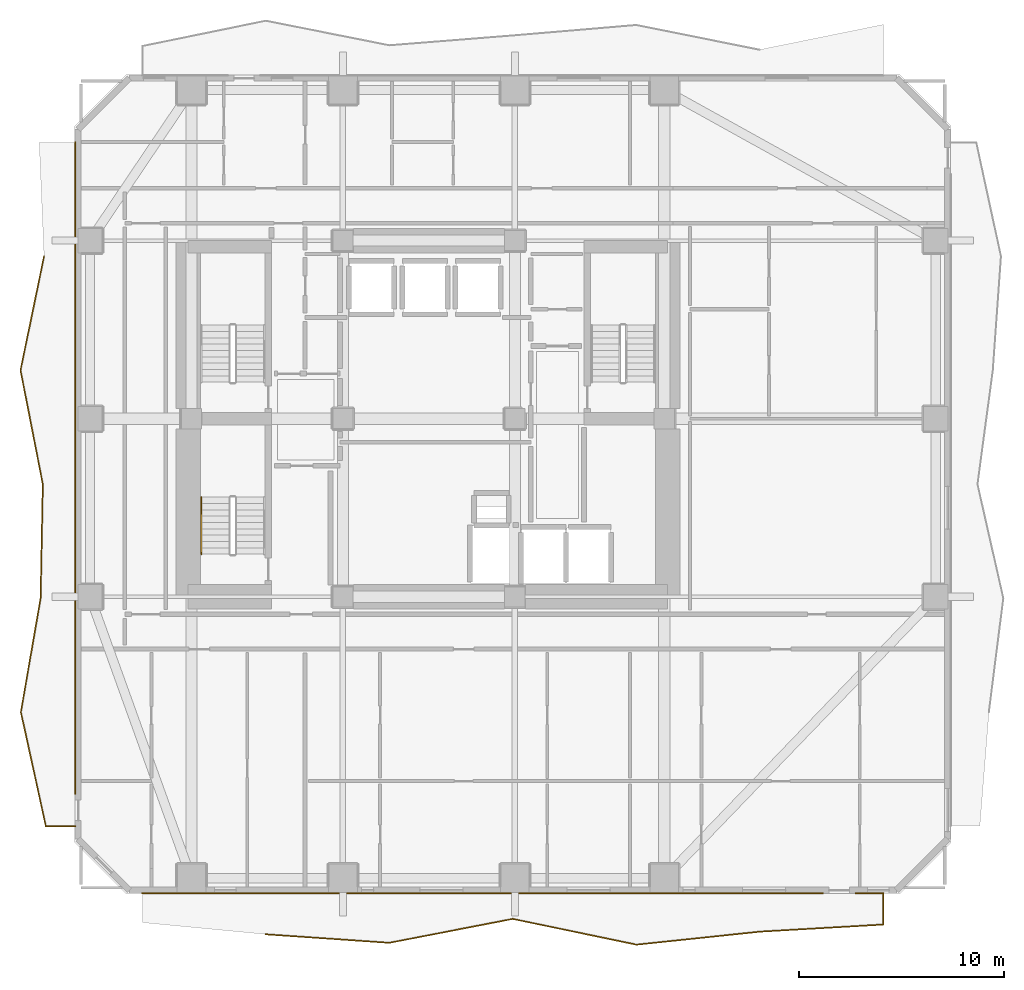
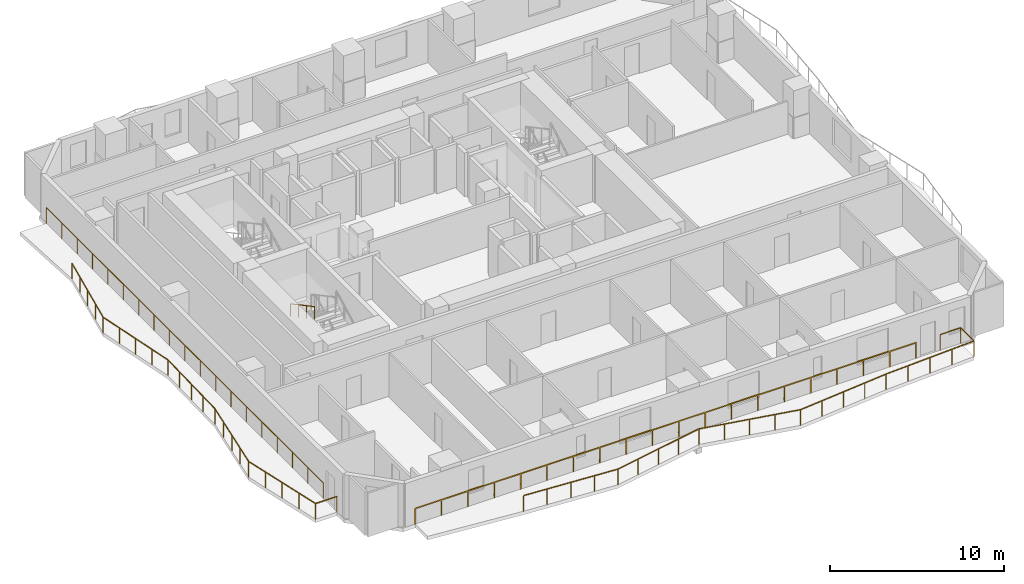
# One storey, part 8 of 10: 5 railings.
"""IFC4 building model written with IfcOpenShell, lengths in metres."""

import ifcopenshell
import ifcopenshell.guid

model = None  # the IFC model being written
_history = None  # IfcOwnerHistory: only IFC2X3 demands one
_inside = {}  # id of a spatial element -> (the spatial element, [elements in it])
_under = {}  # id of a project, library or spatial element -> (it, [spatial elements below it])
_declared = {}  # id of a project -> (the project, [libraries it declares])
_typed = {}  # id of a type object -> (the type object, [elements of that type])
_made_of = {}  # id of a material, layer set ... -> (it, [elements and type objects made of it])


def new_model(schema):
    """Start an empty IFC model of exactly this schema.

    Asked for "IFC4X3", IfcOpenShell would pick the latest addendum, in which some entities
    have other attributes; the version numbers below select the first issue.
    IFC2X3 requires an IfcOwnerHistory on every rooted entity: one is made here for all.
    """
    global model, _history
    if schema == "IFC4X3":
        model = ifcopenshell.file(schema_version=(4, 3, 0, 0))
    else:
        model = ifcopenshell.file(schema=schema)
    _inside.clear()
    _under.clear()
    _declared.clear()
    _typed.clear()
    _made_of.clear()
    _history = None
    if model.schema == "IFC2X3":
        org = make("IfcOrganization", Name="unknown")
        user = make(
            "IfcPersonAndOrganization",
            ThePerson=make("IfcPerson", FamilyName="unknown"),
            TheOrganization=org,
        )
        app = make(
            "IfcApplication",
            ApplicationDeveloper=org,
            Version="unknown",
            ApplicationFullName="unknown",
            ApplicationIdentifier="unknown",
        )
        _history = make(
            "IfcOwnerHistory",
            OwningUser=user,
            OwningApplication=app,
            ChangeAction="ADDED",
            CreationDate=0,
        )
    return model


def make(cls, **values):
    """One entity of the class cls with the attributes given. An attribute that is None is left unset."""
    return model.create_entity(
        cls, **{name: value for name, value in values.items() if value is not None}
    )


def rooted(cls, **values):
    """An entity with a GlobalId (a new one), such as an element, a storey or a relation."""
    return make(cls, GlobalId=ifcopenshell.guid.new(), OwnerHistory=_history, **values)


def si_unit(unit_type, name, prefix=None):
    """IfcSIUnit, for example si_unit("LENGTHUNIT", "METRE", prefix="MILLI")."""
    return make("IfcSIUnit", UnitType=unit_type, Prefix=prefix, Name=name)


def assignment(units):
    """IfcUnitAssignment: the units of a project."""
    return None if units is None else make("IfcUnitAssignment", Units=units)


def point(xyz):
    """IfcCartesianPoint."""
    return None if xyz is None else make("IfcCartesianPoint", Coordinates=xyz)


def direction(xyz):
    """IfcDirection."""
    return None if xyz is None else make("IfcDirection", DirectionRatios=xyz)


def frame(location, z_axis=None, x_axis=None):
    """IfcAxis2Placement3D, a coordinate frame: its origin and axes. An axis left out is left unset."""
    return make(
        "IfcAxis2Placement3D",
        Location=point(location),
        Axis=direction(z_axis),
        RefDirection=direction(x_axis),
    )


def frame_2d(location, x_axis=None):
    """IfcAxis2Placement2D, a coordinate frame in the plane: its origin and x axis."""
    return make(
        "IfcAxis2Placement2D", Location=point(location), RefDirection=direction(x_axis)
    )


def origin():
    """The frame at (0, 0, 0) with its axes left unset."""
    return frame((0.0, 0.0, 0.0))


def origin_2d():
    """The frame at (0, 0) in the plane with its x axis left unset."""
    return frame_2d((0.0, 0.0))


def place(relative_to, where):
    """IfcLocalPlacement: puts the frame where relative to a parent placement (None: the world)."""
    return make(
        "IfcLocalPlacement", PlacementRelTo=relative_to, RelativePlacement=where
    )


def context(
    kind, dimensions, precision=None, world=None, true_north=None, identifier=None
):
    """IfcGeometricRepresentationContext, for example the 3D "Model" context."""
    return make(
        "IfcGeometricRepresentationContext",
        ContextIdentifier=identifier,
        ContextType=kind,
        CoordinateSpaceDimension=dimensions,
        Precision=precision,
        WorldCoordinateSystem=world,
        TrueNorth=true_north,
    )


def subcontext(parent, identifier, kind, view, scale=None):
    """IfcGeometricRepresentationSubContext, for example "Body" below "Model"."""
    return make(
        "IfcGeometricRepresentationSubContext",
        ContextIdentifier=identifier,
        ContextType=kind,
        ParentContext=parent,
        TargetScale=scale,
        TargetView=view,
    )


def project(units=None, contexts=None):
    """IfcProject with its units and contexts."""
    return rooted(
        "IfcProject",
        Name="project",
        RepresentationContexts=contexts,
        UnitsInContext=assignment(units),
    )


def spatial(cls, under=None, at=None, **own):
    """A site, building, storey or space (cls), placed at a placement, below another one or the project."""
    s = rooted(cls, ObjectPlacement=at, **own)
    if under is not None:
        _under.setdefault(under.id(), (under, []))[1].append(s)
    return s


def profile(cls, at=None, kind="AREA", **sizes):
    """A parametric profile (cls). Its sizes go by their IFC names, for example OverallWidth=200.0."""
    return make(cls, ProfileType=kind, Position=at, **sizes)


def rectangle(**sizes):
    """IfcRectangleProfileDef."""
    return profile("IfcRectangleProfileDef", **sizes)


def extrude(swept, where, along, depth):
    """IfcExtrudedAreaSolid: the profile swept, set in the frame where, extruded along a direction by depth."""
    return make(
        "IfcExtrudedAreaSolid",
        SweptArea=swept,
        Position=where,
        ExtrudedDirection=direction(along),
        Depth=depth,
    )


def shape(context_of_items, identifier, shape_type, items):
    """IfcShapeRepresentation: the items that make up one representation, for example the "Body"."""
    return make(
        "IfcShapeRepresentation",
        ContextOfItems=context_of_items,
        RepresentationIdentifier=identifier,
        RepresentationType=shape_type,
        Items=items,
    )


def material(Name=None, Category=None):
    """IfcMaterial."""
    return make("IfcMaterial", Name=Name, Category=Category)


def made_of(thing, what):
    """Note that an element or type object is made of a material, layer set ...; save() writes the relation."""
    if what is not None:
        _made_of.setdefault(what.id(), (what, []))[1].append(thing)
    return thing


def type_object(cls, material=None, **own):
    """A type object (cls), such as IfcWallType, which elements share."""
    return made_of(rooted(cls, **own), material)


def element(
    cls,
    number,
    at=None,
    inside=None,
    cuts=None,
    type_object=None,
    material=None,
    context=None,
    identifier="Body",
    shape_type=None,
    held_by="IfcProductDefinitionShape",
    body=None,
    shapes=None,
    **own,
):
    """One element of the class cls, such as IfcWall. Its Tag is "e" and its number.

    at: its placement. inside: the storey or other place that contains it. cuts: it is an
    opening in that element (IfcRelVoidsElement). A single representation is given by context,
    identifier, shape_type and body (its items); several are given by shapes. held_by: the class
    of the entity that holds the representations. save() writes the other relations.
    """
    e = rooted(cls, Tag="e%d" % number, ObjectPlacement=at, **own)
    if body is not None:
        shapes = [shape(context, identifier, shape_type, body)]
    if shapes is not None:
        e.Representation = make(held_by, Representations=shapes)
    if inside is not None:
        _inside.setdefault(inside.id(), (inside, []))[1].append(e)
    if cuts is not None:
        rooted(
            "IfcRelVoidsElement", RelatingBuildingElement=cuts, RelatedOpeningElement=e
        )
    if type_object is not None:
        _typed.setdefault(type_object.id(), (type_object, []))[1].append(e)
    return made_of(e, material)


def aggregate(whole, parts):
    """IfcRelAggregates: a whole, such as a stair, and the parts it consists of."""
    return rooted("IfcRelAggregates", RelatingObject=whole, RelatedObjects=parts)


def save(model, path):
    """Write the relations noted so far, then the file.

    IfcRelAggregates (storeys below a building ...), IfcRelContainedInSpatialStructure (elements
    in a storey), IfcRelDefinesByType, IfcRelAssociatesMaterial and IfcRelDeclares: one each for
    every whole, place, type object, material and project.
    """
    for whole, parts in _under.values():
        aggregate(whole, parts)
    for where, things in _inside.values():
        rooted(
            "IfcRelContainedInSpatialStructure",
            RelatedElements=things,
            RelatingStructure=where,
        )
    for kind, things in _typed.values():
        rooted("IfcRelDefinesByType", RelatedObjects=things, RelatingType=kind)
    for what, things in _made_of.values():
        rooted("IfcRelAssociatesMaterial", RelatedObjects=things, RelatingMaterial=what)
    for by, libraries in _declared.values():
        rooted("IfcRelDeclares", RelatingContext=by, RelatedDefinitions=libraries)
    model.write(path)


model = new_model("IFC4")

# Units and contexts
model_context = context("Model", 3, precision=1e-05, world=origin(), true_north=direction((0.0, 1.0)))
body_context = subcontext(model_context, "Body", "Model", "MODEL_VIEW")
ifc_project = project(units=[si_unit("LENGTHUNIT", "METRE"), si_unit("AREAUNIT", "SQUARE_METRE"), si_unit("VOLUMEUNIT", "CUBIC_METRE"), si_unit("PLANEANGLEUNIT", "RADIAN"), si_unit("MASSUNIT", "GRAM", prefix="KILO")], contexts=[model_context])

# Site, building, storey
site_placement = place(None, origin())
site = spatial("IfcSite", under=ifc_project, at=site_placement, CompositionType="ELEMENT")
building_placement = place(site_placement, origin())
building = spatial("IfcBuilding", under=site, at=building_placement, Name="Solanera Arch Residences", CompositionType="ELEMENT")
storey_placement = place(building_placement, frame((0.0, 0.0, 51.8798828125)))
storey = spatial("IfcBuildingStorey", under=building, at=storey_placement, Name="L14", CompositionType="ELEMENT", Elevation=51.8798828125)

# Railings
ifc_material_1 = material(Name="Steel S355 (ASTM A992 / A572 Grade 50)", Category="steel")
railing_type_1 = type_object("IfcRailingType", Name="Balustrade Railing BL-1100", PredefinedType="BALUSTRADE", material=ifc_material_1)
railing_1_placement = place(storey_placement, frame((17.032958984375, 5.513916015625, 0.0)))
element("IfcRailing", 1, at=railing_1_placement, inside=storey, type_object=railing_type_1, Name="L14 S Balcony Balustrade 1", PredefinedType="BALUSTRADE", context=body_context, shape_type="SweptSolid", body=[
    extrude(rectangle(XDim=0.048095703125, YDim=0.048095703125, at=origin_2d()), frame((0.0, 0.0, 1.09619140625), z_axis=(0.997645495095, -0.068581820602, 0.0), x_axis=(0.068581820602, 0.997645495095, 0.0)), (0.0, 0.0, 1.0), 6.048095703125),
    extrude(rectangle(XDim=0.048095703125, YDim=0.048095703125, at=origin_2d()), frame((6.033935546875, -0.414794921875, 1.09619140625), z_axis=(0.981772198958, 0.190061435732, 0.0), x_axis=(-0.190061435732, 0.981772198958, 0.0)), (0.0, 0.0, 1.0), 6.145263671875),
    extrude(rectangle(XDim=0.048095703125, YDim=0.048095703125, at=origin_2d()), frame((12.067138671875, 0.753173828125, 1.09619140625), z_axis=(0.978910163279, -0.204291194692, 0.0), x_axis=(0.204291194692, 0.978910163279, 0.0)), (0.0, 0.0, 1.0), 6.162841796875),
    extrude(rectangle(XDim=0.048095703125, YDim=0.048095703125, at=origin_2d()), frame((18.10009765625, -0.505859375, 1.09619140625), z_axis=(0.994507878021, 0.104661743505, 0.0), x_axis=(-0.104661743505, 0.994507878021, 0.0)), (0.0, 0.0, 1.0), 6.067138671875),
    extrude(rectangle(XDim=0.048095703125, YDim=0.048095703125, at=origin_2d()), frame((24.134033203125, 0.129150390625, 1.09619140625), z_axis=(0.998332114504, 0.057732046118, 0.0), x_axis=(-0.057732046118, 0.998332114504, 0.0)), (0.0, 0.0, 1.0), 6.04296875),
    extrude(rectangle(XDim=0.048095703125, YDim=0.048095703125, at=origin_2d()), frame((30.1669921875, 0.47802734375, 1.09619140625), z_axis=(0.0, 1.0, 0.0), x_axis=(-1.0, 0.0, 0.0)), (0.0, 0.0, 1.0), 1.528076171875),
    extrude(rectangle(XDim=0.048095703125, YDim=0.048095703125, at=origin_2d()), frame((30.1669921875, 2.006103515625, 1.09619140625), z_axis=(-1.0, 0.0, 0.0), x_axis=(0.0, -1.0, 0.0)), (0.0, 0.0, 1.0), 1.365966796875),
    extrude(rectangle(XDim=0.0419921875, YDim=0.0419921875, at=origin_2d()), origin(), (0.0, 0.0, 1.0), 1.072021484375),
    extrude(rectangle(XDim=0.0419921875, YDim=0.0419921875, at=origin_2d()), frame((1.508544921875, -0.103759765625, 0.0)), (0.0, 0.0, 1.0), 1.072021484375),
    extrude(rectangle(XDim=0.0419921875, YDim=0.0419921875, at=origin_2d()), frame((3.01708984375, -0.20751953125, 0.0)), (0.0, 0.0, 1.0), 1.072021484375),
    extrude(rectangle(XDim=0.0419921875, YDim=0.0419921875, at=origin_2d()), frame((4.525390625, -0.31103515625, 0.0)), (0.0, 0.0, 1.0), 1.072021484375),
    extrude(rectangle(XDim=0.0419921875, YDim=0.0419921875, at=origin_2d()), frame((6.033935546875, -0.414794921875, 0.0)), (0.0, 0.0, 1.0), 1.072021484375),
    extrude(rectangle(XDim=0.0419921875, YDim=0.0419921875, at=origin_2d()), frame((7.542236328125, -0.122802734375, 0.0)), (0.0, 0.0, 1.0), 1.072021484375),
    extrude(rectangle(XDim=0.0419921875, YDim=0.0419921875, at=origin_2d()), frame((9.050537109375, 0.169189453125, 0.0)), (0.0, 0.0, 1.0), 1.072021484375),
    extrude(rectangle(XDim=0.0419921875, YDim=0.0419921875, at=origin_2d()), frame((10.558837890625, 0.461181640625, 0.0)), (0.0, 0.0, 1.0), 1.072021484375),
    extrude(rectangle(XDim=0.0419921875, YDim=0.0419921875, at=origin_2d()), frame((12.067138671875, 0.753173828125, 0.0)), (0.0, 0.0, 1.0), 1.072021484375),
    extrude(rectangle(XDim=0.0419921875, YDim=0.0419921875, at=origin_2d()), frame((13.575439453125, 0.4384765625, 0.0)), (0.0, 0.0, 1.0), 1.072021484375),
    extrude(rectangle(XDim=0.0419921875, YDim=0.0419921875, at=origin_2d()), frame((15.08349609375, 0.12353515625, 0.0)), (0.0, 0.0, 1.0), 1.072021484375),
    extrude(rectangle(XDim=0.0419921875, YDim=0.0419921875, at=origin_2d()), frame((16.591796875, -0.191162109375, 0.0)), (0.0, 0.0, 1.0), 1.072021484375),
    extrude(rectangle(XDim=0.0419921875, YDim=0.0419921875, at=origin_2d()), frame((18.10009765625, -0.505859375, 0.0)), (0.0, 0.0, 1.0), 1.072021484375),
    extrude(rectangle(XDim=0.0419921875, YDim=0.0419921875, at=origin_2d()), frame((19.608642578125, -0.34716796875, 0.0)), (0.0, 0.0, 1.0), 1.072021484375),
    extrude(rectangle(XDim=0.0419921875, YDim=0.0419921875, at=origin_2d()), frame((21.1171875, -0.1884765625, 0.0)), (0.0, 0.0, 1.0), 1.072021484375),
    extrude(rectangle(XDim=0.0419921875, YDim=0.0419921875, at=origin_2d()), frame((22.62548828125, -0.029541015625, 0.0)), (0.0, 0.0, 1.0), 1.072021484375),
    extrude(rectangle(XDim=0.0419921875, YDim=0.0419921875, at=origin_2d()), frame((24.134033203125, 0.129150390625, 0.0)), (0.0, 0.0, 1.0), 1.072021484375),
    extrude(rectangle(XDim=0.0419921875, YDim=0.0419921875, at=origin_2d()), frame((25.642333984375, 0.21630859375, 0.0)), (0.0, 0.0, 1.0), 1.072021484375),
    extrude(rectangle(XDim=0.0419921875, YDim=0.0419921875, at=origin_2d()), frame((27.150390625, 0.3037109375, 0.0)), (0.0, 0.0, 1.0), 1.072021484375),
    extrude(rectangle(XDim=0.0419921875, YDim=0.0419921875, at=origin_2d()), frame((28.65869140625, 0.390869140625, 0.0)), (0.0, 0.0, 1.0), 1.072021484375),
    extrude(rectangle(XDim=0.0419921875, YDim=0.0419921875, at=origin_2d()), frame((30.1669921875, 0.47802734375, 0.0)), (0.0, 0.0, 1.0), 1.072021484375),
    extrude(rectangle(XDim=0.0419921875, YDim=0.0419921875, at=origin_2d()), frame((30.1669921875, 2.006103515625, 0.0)), (0.0, 0.0, 1.0), 1.072021484375),
    extrude(rectangle(XDim=0.0419921875, YDim=0.0419921875, at=origin_2d()), frame((28.801025390625, 2.006103515625, 0.0)), (0.0, 0.0, 1.0), 1.072021484375),
])
railing_2_placement = place(storey_placement, frame((44.23388671875, 7.52001953125, 0.0)))
element("IfcRailing", 2, at=railing_2_placement, inside=storey, type_object=railing_type_1, Name="L14 S Balcony Balustrade 2", PredefinedType="BALUSTRADE", context=body_context, shape_type="SweptSolid", body=[
    extrude(rectangle(XDim=0.048095703125, YDim=0.048095703125, at=origin_2d()), frame((0.0, 0.0, 1.09619140625), z_axis=(-1.0, 0.0, 0.0), x_axis=(0.0, -1.0, 0.0)), (0.0, 0.0, 1.0), 33.23388671875),
    extrude(rectangle(XDim=0.0419921875, YDim=0.0419921875, at=origin_2d()), origin(), (0.0, 0.0, 1.0), 1.072021484375),
    extrude(rectangle(XDim=0.0419921875, YDim=0.0419921875, at=origin_2d()), frame((-1.749267578125, 0.0, 0.0)), (0.0, 0.0, 1.0), 1.072021484375),
    extrude(rectangle(XDim=0.0419921875, YDim=0.0419921875, at=origin_2d()), frame((-3.498291015625, 0.0, 0.0)), (0.0, 0.0, 1.0), 1.072021484375),
    extrude(rectangle(XDim=0.0419921875, YDim=0.0419921875, at=origin_2d()), frame((-5.24755859375, 0.0, 0.0)), (0.0, 0.0, 1.0), 1.072021484375),
    extrude(rectangle(XDim=0.0419921875, YDim=0.0419921875, at=origin_2d()), frame((-6.99658203125, 0.0, 0.0)), (0.0, 0.0, 1.0), 1.072021484375),
    extrude(rectangle(XDim=0.0419921875, YDim=0.0419921875, at=origin_2d()), frame((-8.745849609375, 0.0, 0.0)), (0.0, 0.0, 1.0), 1.072021484375),
    extrude(rectangle(XDim=0.0419921875, YDim=0.0419921875, at=origin_2d()), frame((-10.494873046875, 0.0, 0.0)), (0.0, 0.0, 1.0), 1.072021484375),
    extrude(rectangle(XDim=0.0419921875, YDim=0.0419921875, at=origin_2d()), frame((-12.244140625, 0.0, 0.0)), (0.0, 0.0, 1.0), 1.072021484375),
    extrude(rectangle(XDim=0.0419921875, YDim=0.0419921875, at=origin_2d()), frame((-13.9931640625, 0.0, 0.0)), (0.0, 0.0, 1.0), 1.072021484375),
    extrude(rectangle(XDim=0.0419921875, YDim=0.0419921875, at=origin_2d()), frame((-15.742431640625, 0.0, 0.0)), (0.0, 0.0, 1.0), 1.072021484375),
    extrude(rectangle(XDim=0.0419921875, YDim=0.0419921875, at=origin_2d()), frame((-17.491455078125, 0.0, 0.0)), (0.0, 0.0, 1.0), 1.072021484375),
    extrude(rectangle(XDim=0.0419921875, YDim=0.0419921875, at=origin_2d()), frame((-19.24072265625, 0.0, 0.0)), (0.0, 0.0, 1.0), 1.072021484375),
    extrude(rectangle(XDim=0.0419921875, YDim=0.0419921875, at=origin_2d()), frame((-20.98974609375, 0.0, 0.0)), (0.0, 0.0, 1.0), 1.072021484375),
    extrude(rectangle(XDim=0.0419921875, YDim=0.0419921875, at=origin_2d()), frame((-22.739013671875, 0.0, 0.0)), (0.0, 0.0, 1.0), 1.072021484375),
    extrude(rectangle(XDim=0.0419921875, YDim=0.0419921875, at=origin_2d()), frame((-24.488037109375, 0.0, 0.0)), (0.0, 0.0, 1.0), 1.072021484375),
    extrude(rectangle(XDim=0.0419921875, YDim=0.0419921875, at=origin_2d()), frame((-26.2373046875, 0.0, 0.0)), (0.0, 0.0, 1.0), 1.072021484375),
    extrude(rectangle(XDim=0.0419921875, YDim=0.0419921875, at=origin_2d()), frame((-27.986328125, 0.0, 0.0)), (0.0, 0.0, 1.0), 1.072021484375),
    extrude(rectangle(XDim=0.0419921875, YDim=0.0419921875, at=origin_2d()), frame((-29.735595703125, 0.0, 0.0)), (0.0, 0.0, 1.0), 1.072021484375),
    extrude(rectangle(XDim=0.0419921875, YDim=0.0419921875, at=origin_2d()), frame((-31.484619140625, 0.0, 0.0)), (0.0, 0.0, 1.0), 1.072021484375),
    extrude(rectangle(XDim=0.0419921875, YDim=0.0419921875, at=origin_2d()), frame((-33.23388671875, 0.0, 0.0)), (0.0, 0.0, 1.0), 1.072021484375),
])
railing_3_placement = place(storey_placement, frame((6.199951171875, 38.633056640625, 0.0)))
element("IfcRailing", 3, at=railing_3_placement, inside=storey, type_object=railing_type_1, Name="L14 W Balcony Balustrade 1", PredefinedType="BALUSTRADE", context=body_context, shape_type="SweptSolid", body=[
    extrude(rectangle(XDim=0.048095703125, YDim=0.048095703125, at=origin_2d()), frame((0.0, 0.0, 1.09619140625), z_axis=(-0.202151041858, -0.979354356847, 0.0), x_axis=(0.979354356847, -0.202151041858, 0.0)), (0.0, 0.0, 1.0), 5.68359375),
    extrude(rectangle(XDim=0.048095703125, YDim=0.048095703125, at=origin_2d()), frame((-1.14892578125, -5.566162109375, 1.09619140625), z_axis=(0.191793513592, -0.981435300029, 0.0), x_axis=(0.981435300029, 0.191793513592, 0.0)), (0.0, 0.0, 1.0), 5.672119140625),
    extrude(rectangle(XDim=0.048095703125, YDim=0.048095703125, at=origin_2d()), frame((-0.06103515625, -11.133056640625, 1.09619140625), z_axis=(-0.019205298475, -0.999815561246, 0.0), x_axis=(0.999815561246, -0.019205298475, 0.0)), (0.0, 0.0, 1.0), 5.56787109375),
    extrude(rectangle(XDim=0.048095703125, YDim=0.048095703125, at=origin_2d()), frame((-0.16796875, -16.699951171875, 1.09619140625), z_axis=(-0.170626162825, -0.985335837448, 0.0), x_axis=(0.985335837448, -0.170626162825, 0.0)), (0.0, 0.0, 1.0), 5.64892578125),
    extrude(rectangle(XDim=0.048095703125, YDim=0.048095703125, at=origin_2d()), frame((-1.1318359375, -22.26611328125, 1.09619140625), z_axis=(0.214067364421, -0.976818900047, 0.0), x_axis=(0.976818900047, 0.214067364421, 0.0)), (0.0, 0.0, 1.0), 5.698974609375),
    extrude(rectangle(XDim=0.048095703125, YDim=0.048095703125, at=origin_2d()), frame((0.088134765625, -27.8330078125, 1.09619140625), z_axis=(1.0, 0.0, 0.0), x_axis=(0.0, 1.0, 0.0)), (0.0, 0.0, 1.0), 1.431884765625),
    extrude(rectangle(XDim=0.0419921875, YDim=0.0419921875, at=origin_2d()), origin(), (0.0, 0.0, 1.0), 1.072021484375),
    extrude(rectangle(XDim=0.0419921875, YDim=0.0419921875, at=origin_2d()), frame((-0.287109375, -1.3916015625, 0.0)), (0.0, 0.0, 1.0), 1.072021484375),
    extrude(rectangle(XDim=0.0419921875, YDim=0.0419921875, at=origin_2d()), frame((-0.574462890625, -2.783203125, 0.0)), (0.0, 0.0, 1.0), 1.072021484375),
    extrude(rectangle(XDim=0.0419921875, YDim=0.0419921875, at=origin_2d()), frame((-0.86181640625, -4.174560546875, 0.0)), (0.0, 0.0, 1.0), 1.072021484375),
    extrude(rectangle(XDim=0.0419921875, YDim=0.0419921875, at=origin_2d()), frame((-1.14892578125, -5.566162109375, 0.0)), (0.0, 0.0, 1.0), 1.072021484375),
    extrude(rectangle(XDim=0.0419921875, YDim=0.0419921875, at=origin_2d()), frame((-0.876953125, -6.9580078125, 0.0)), (0.0, 0.0, 1.0), 1.072021484375),
    extrude(rectangle(XDim=0.0419921875, YDim=0.0419921875, at=origin_2d()), frame((-0.60498046875, -8.349609375, 0.0)), (0.0, 0.0, 1.0), 1.072021484375),
    extrude(rectangle(XDim=0.0419921875, YDim=0.0419921875, at=origin_2d()), frame((-0.3330078125, -9.7412109375, 0.0)), (0.0, 0.0, 1.0), 1.072021484375),
    extrude(rectangle(XDim=0.0419921875, YDim=0.0419921875, at=origin_2d()), frame((-0.06103515625, -11.133056640625, 0.0)), (0.0, 0.0, 1.0), 1.072021484375),
    extrude(rectangle(XDim=0.0419921875, YDim=0.0419921875, at=origin_2d()), frame((-0.087890625, -12.52490234375, 0.0)), (0.0, 0.0, 1.0), 1.072021484375),
    extrude(rectangle(XDim=0.0419921875, YDim=0.0419921875, at=origin_2d()), frame((-0.114501953125, -13.91650390625, 0.0)), (0.0, 0.0, 1.0), 1.072021484375),
    extrude(rectangle(XDim=0.0419921875, YDim=0.0419921875, at=origin_2d()), frame((-0.14111328125, -15.30810546875, 0.0)), (0.0, 0.0, 1.0), 1.072021484375),
    extrude(rectangle(XDim=0.0419921875, YDim=0.0419921875, at=origin_2d()), frame((-0.16796875, -16.699951171875, 0.0)), (0.0, 0.0, 1.0), 1.072021484375),
    extrude(rectangle(XDim=0.0419921875, YDim=0.0419921875, at=origin_2d()), frame((-0.408935546875, -18.091552734375, 0.0)), (0.0, 0.0, 1.0), 1.072021484375),
    extrude(rectangle(XDim=0.0419921875, YDim=0.0419921875, at=origin_2d()), frame((-0.64990234375, -19.48291015625, 0.0)), (0.0, 0.0, 1.0), 1.072021484375),
    extrude(rectangle(XDim=0.0419921875, YDim=0.0419921875, at=origin_2d()), frame((-0.890869140625, -20.87451171875, 0.0)), (0.0, 0.0, 1.0), 1.072021484375),
    extrude(rectangle(XDim=0.0419921875, YDim=0.0419921875, at=origin_2d()), frame((-1.1318359375, -22.26611328125, 0.0)), (0.0, 0.0, 1.0), 1.072021484375),
    extrude(rectangle(XDim=0.0419921875, YDim=0.0419921875, at=origin_2d()), frame((-0.826904296875, -23.65771484375, 0.0)), (0.0, 0.0, 1.0), 1.072021484375),
    extrude(rectangle(XDim=0.0419921875, YDim=0.0419921875, at=origin_2d()), frame((-0.52197265625, -25.049560546875, 0.0)), (0.0, 0.0, 1.0), 1.072021484375),
    extrude(rectangle(XDim=0.0419921875, YDim=0.0419921875, at=origin_2d()), frame((-0.216796875, -26.44140625, 0.0)), (0.0, 0.0, 1.0), 1.072021484375),
    extrude(rectangle(XDim=0.0419921875, YDim=0.0419921875, at=origin_2d()), frame((0.088134765625, -27.8330078125, 0.0)), (0.0, 0.0, 1.0), 1.072021484375),
    extrude(rectangle(XDim=0.0419921875, YDim=0.0419921875, at=origin_2d()), frame((1.52001953125, -27.8330078125, 0.0)), (0.0, 0.0, 1.0), 1.072021484375),
])
railing_4_placement = place(storey_placement, frame((7.719970703125, 12.365966796875, 0.0)))
element("IfcRailing", 4, at=railing_4_placement, inside=storey, type_object=railing_type_1, Name="L14 W Balcony Balustrade 2", PredefinedType="BALUSTRADE", context=body_context, shape_type="SweptSolid", body=[
    extrude(rectangle(XDim=0.048095703125, YDim=0.048095703125, at=origin_2d()), frame((0.0, 0.0, 1.09619140625), z_axis=(0.0, 1.0, 0.0), x_axis=(-1.0, 0.0, 0.0)), (0.0, 0.0, 1.0), 31.833984375),
    extrude(rectangle(XDim=0.0419921875, YDim=0.0419921875, at=origin_2d()), origin(), (0.0, 0.0, 1.0), 1.072021484375),
    extrude(rectangle(XDim=0.0419921875, YDim=0.0419921875, at=origin_2d()), frame((0.0, 1.7685546875, 0.0)), (0.0, 0.0, 1.0), 1.072021484375),
    extrude(rectangle(XDim=0.0419921875, YDim=0.0419921875, at=origin_2d()), frame((0.0, 3.537109375, 0.0)), (0.0, 0.0, 1.0), 1.072021484375),
    extrude(rectangle(XDim=0.0419921875, YDim=0.0419921875, at=origin_2d()), frame((0.0, 5.3056640625, 0.0)), (0.0, 0.0, 1.0), 1.072021484375),
    extrude(rectangle(XDim=0.0419921875, YDim=0.0419921875, at=origin_2d()), frame((0.0, 7.07421875, 0.0)), (0.0, 0.0, 1.0), 1.072021484375),
    extrude(rectangle(XDim=0.0419921875, YDim=0.0419921875, at=origin_2d()), frame((0.0, 8.8427734375, 0.0)), (0.0, 0.0, 1.0), 1.072021484375),
    extrude(rectangle(XDim=0.0419921875, YDim=0.0419921875, at=origin_2d()), frame((0.0, 10.611328125, 0.0)), (0.0, 0.0, 1.0), 1.072021484375),
    extrude(rectangle(XDim=0.0419921875, YDim=0.0419921875, at=origin_2d()), frame((0.0, 12.3798828125, 0.0)), (0.0, 0.0, 1.0), 1.072021484375),
    extrude(rectangle(XDim=0.0419921875, YDim=0.0419921875, at=origin_2d()), frame((0.0, 14.1484375, 0.0)), (0.0, 0.0, 1.0), 1.072021484375),
    extrude(rectangle(XDim=0.0419921875, YDim=0.0419921875, at=origin_2d()), frame((0.0, 15.9169921875, 0.0)), (0.0, 0.0, 1.0), 1.072021484375),
    extrude(rectangle(XDim=0.0419921875, YDim=0.0419921875, at=origin_2d()), frame((0.0, 17.685546875, 0.0)), (0.0, 0.0, 1.0), 1.072021484375),
    extrude(rectangle(XDim=0.0419921875, YDim=0.0419921875, at=origin_2d()), frame((0.0, 19.4541015625, 0.0)), (0.0, 0.0, 1.0), 1.072021484375),
    extrude(rectangle(XDim=0.0419921875, YDim=0.0419921875, at=origin_2d()), frame((0.0, 21.22265625, 0.0)), (0.0, 0.0, 1.0), 1.072021484375),
    extrude(rectangle(XDim=0.0419921875, YDim=0.0419921875, at=origin_2d()), frame((0.0, 22.9912109375, 0.0)), (0.0, 0.0, 1.0), 1.072021484375),
    extrude(rectangle(XDim=0.0419921875, YDim=0.0419921875, at=origin_2d()), frame((0.0, 24.759765625, 0.0)), (0.0, 0.0, 1.0), 1.072021484375),
    extrude(rectangle(XDim=0.0419921875, YDim=0.0419921875, at=origin_2d()), frame((0.0, 26.5283203125, 0.0)), (0.0, 0.0, 1.0), 1.072021484375),
    extrude(rectangle(XDim=0.0419921875, YDim=0.0419921875, at=origin_2d()), frame((0.0, 28.296875, 0.0)), (0.0, 0.0, 1.0), 1.072021484375),
    extrude(rectangle(XDim=0.0419921875, YDim=0.0419921875, at=origin_2d()), frame((0.0, 30.0654296875, 0.0)), (0.0, 0.0, 1.0), 1.072021484375),
    extrude(rectangle(XDim=0.0419921875, YDim=0.0419921875, at=origin_2d()), frame((0.0, 31.833984375, 0.0)), (0.0, 0.0, 1.0), 1.072021484375),
])
ifc_material_2 = material(Name="Steel S355 (ASTM A992 / A572 Grade 50)", Category="steel")
railing_type_2 = type_object("IfcRailingType", Name="Stair Wall Handrail HR-920", PredefinedType="HANDRAIL", material=ifc_material_2)
railing_5_placement = place(storey_placement, frame((13.889892578125, 26.8701171875, 1.826171875)))
element("IfcRailing", 5, at=railing_5_placement, inside=storey, type_object=railing_type_2, Name="L14 ST-T3 stair handrail 2", PredefinedType="HANDRAIL", context=body_context, shape_type="SweptSolid", body=[
    extrude(rectangle(XDim=0.048095703125, YDim=0.048095703125, at=origin_2d()), frame((0.0, 0.0, 0.8759765625), z_axis=(0.0, -0.881580869306, 0.472033018838), x_axis=(1.0, 0.0, 0.0)), (0.0, 0.0, 1.0), 3.164794921875),
    extrude(rectangle(XDim=0.0419921875, YDim=0.0419921875, at=origin_2d()), origin(), (0.0, 0.0, 1.0), 0.851806640625),
    extrude(rectangle(XDim=0.0419921875, YDim=0.0419921875, at=origin_2d()), frame((0.0, -0.929931640625, 0.498046875)), (0.0, 0.0, 1.0), 0.851806640625),
    extrude(rectangle(XDim=0.0419921875, YDim=0.0419921875, at=origin_2d()), frame((0.0, -1.860107421875, 0.995849609375)), (0.0, 0.0, 1.0), 0.851806640625),
    extrude(rectangle(XDim=0.0419921875, YDim=0.0419921875, at=origin_2d()), frame((0.0, -2.7900390625, 1.493896484375)), (0.0, 0.0, 1.0), 0.851806640625),
])

save(model, "model.ifc")
